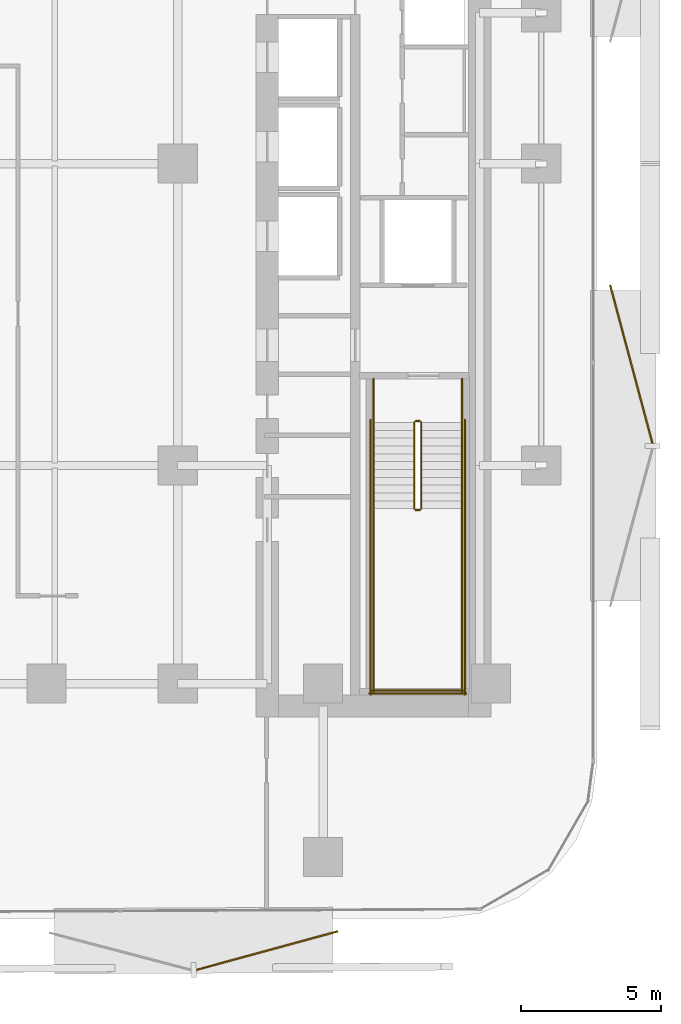
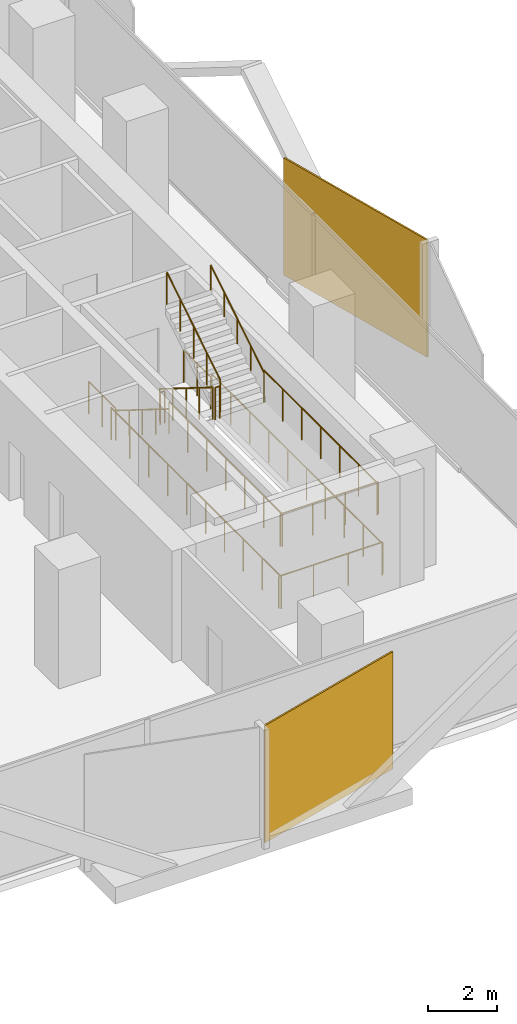
# One storey, part 13 of 15: 14 railings, 2 coverings.
"""IFC4 building model written with IfcOpenShell, lengths in metres."""

from ifc_helpers import new_model, si_unit, direction, frame, origin, origin_2d, place, context, subcontext, project, spatial, rectangle, circle, extrude, material, layer, layer_set, type_object, element, save


model = new_model("IFC4")

# Units and contexts
model_context = context("Model", 3, precision=1e-05, world=origin(), true_north=direction((0.0, 1.0)))
body_context = subcontext(model_context, "Body", "Model", "MODEL_VIEW")
ifc_project = project(units=[si_unit("LENGTHUNIT", "METRE"), si_unit("AREAUNIT", "SQUARE_METRE"), si_unit("VOLUMEUNIT", "CUBIC_METRE"), si_unit("PLANEANGLEUNIT", "RADIAN"), si_unit("MASSUNIT", "GRAM", prefix="KILO")], contexts=[model_context])

# Site, building, storey
site_placement = place(None, origin())
site = spatial("IfcSite", under=ifc_project, at=site_placement, CompositionType="ELEMENT")
building_placement = place(site_placement, origin())
building = spatial("IfcBuilding", under=site, at=building_placement, Name="Khairoan Windgate Tower", CompositionType="ELEMENT")
storey_placement = place(building_placement, frame((0.0, 0.0, 59.60009765625)))
storey = spatial("IfcBuildingStorey", under=building, at=storey_placement, Name="L14", CompositionType="ELEMENT", Elevation=59.60009765625)

# Coverings
ifc_material_1 = material(Name="Anodised Bronze Aluminium 6063-T6", Category="aluminium")
ifc_layer = layer(ifc_material_1, 0.054931640625, Name="Anodised Bronze Aluminium 6063-T6")
ifc_layer_set = layer_set([ifc_layer], Name="Anodised Bronze Aluminium 6063-T6")
covering_type = type_object("IfcCoveringType", Name="Perforated Bronze-Ceramic Folded Solar Screen Cladding BSC-1", PredefinedType="CLADDING", material=ifc_layer_set)
covering_1_placement = place(storey_placement, frame((12.39453125, -28.150390625, -0.10009765625), z_axis=(0.0, 0.0, 1.0), x_axis=(-0.964649468762, -0.263536339841, 0.0)))
element("IfcCovering", 1, at=covering_1_placement, inside=storey, type_object=covering_type, Name="L14 Folded Bronze Solar Screen Facet 65L", PredefinedType="CLADDING", context=body_context, shape_type="SweptSolid", body=[
    extrude(rectangle(XDim=5.25, YDim=0.054931640625, at=origin_2d()), origin(), (0.0, 0.0, 1.0), 4.139892578125),
])
covering_2_placement = place(storey_placement, frame((25.42236328125, -7.177734375, -0.10009765625), z_axis=(0.0, 0.0, 1.0), x_axis=(0.258819045103, -0.965925826289, 0.0)))
element("IfcCovering", 2, at=covering_2_placement, inside=storey, type_object=covering_type, Name="L14 Folded Bronze Solar Screen Facet 72L", PredefinedType="CLADDING", context=body_context, shape_type="SweptSolid", body=[
    extrude(rectangle(XDim=5.85498046875, YDim=0.054931640625, at=origin_2d()), origin(), (0.0, 0.0, 1.0), 4.139892578125),
])

# Railings
ifc_material_2 = material(Name="Anodised Bronze Aluminium 6063-T6", Category="aluminium")
railing_type_1 = type_object("IfcRailingType", Name="Stair Wall Handrail SHR-900", PredefinedType="HANDRAIL", material=ifc_material_2)
railing_1_placement = place(storey_placement, frame((16.199951171875, -9.260009765625, 0.1748046875)))
element("IfcRailing", 3, at=railing_1_placement, inside=storey, type_object=railing_type_1, Name="L14 ST1 stair handrail 1", PredefinedType="HANDRAIL", context=body_context, shape_type="SweptSolid", body=[
    extrude(circle(Radius=0.02392578125, at=origin_2d()), frame((0.0, 0.0, 0.8759765625), z_axis=(0.0, -0.847998304005, 0.529998940003), x_axis=(1.0, 0.0, 0.0)), (0.0, 0.0, 1.0), 3.632080078125),
    extrude(circle(Radius=0.02099609375, at=origin_2d()), origin(), (0.0, 0.0, 1.0), 0.851806640625),
    extrude(circle(Radius=0.02099609375, at=origin_2d()), frame((0.0, -0.77001953125, 0.481201171875)), (0.0, 0.0, 1.0), 0.851806640625),
    extrude(circle(Radius=0.02099609375, at=origin_2d()), frame((0.0, -1.5400390625, 0.96240234375)), (0.0, 0.0, 1.0), 0.851806640625),
    extrude(circle(Radius=0.02099609375, at=origin_2d()), frame((0.0, -2.31005859375, 1.44384765625)), (0.0, 0.0, 1.0), 0.851806640625),
    extrude(circle(Radius=0.02099609375, at=origin_2d()), frame((0.0, -3.080078125, 1.925048828125)), (0.0, 0.0, 1.0), 0.851806640625),
])
railing_2_placement = place(storey_placement, frame((19.3701171875, -12.340087890625, 2.27490234375)))
element("IfcRailing", 4, at=railing_2_placement, inside=storey, type_object=railing_type_1, Name="L14 ST1 stair handrail 2", PredefinedType="HANDRAIL", context=body_context, shape_type="SweptSolid", body=[
    extrude(circle(Radius=0.02392578125, at=origin_2d()), frame((0.0, 0.0, 0.8759765625), z_axis=(0.0, 0.847998304005, 0.529998940003), x_axis=(-1.0, 0.0, 0.0)), (0.0, 0.0, 1.0), 3.632080078125),
    extrude(circle(Radius=0.02099609375, at=origin_2d()), origin(), (0.0, 0.0, 1.0), 0.851806640625),
    extrude(circle(Radius=0.02099609375, at=origin_2d()), frame((0.0, 0.77001953125, 0.481201171875)), (0.0, 0.0, 1.0), 0.851806640625),
    extrude(circle(Radius=0.02099609375, at=origin_2d()), frame((0.0, 1.5400390625, 0.96240234375)), (0.0, 0.0, 1.0), 0.851806640625),
    extrude(circle(Radius=0.02099609375, at=origin_2d()), frame((0.0, 2.31005859375, 1.44384765625)), (0.0, 0.0, 1.0), 0.851806640625),
    extrude(circle(Radius=0.02099609375, at=origin_2d()), frame((0.0, 3.080078125, 1.925048828125)), (0.0, 0.0, 1.0), 0.851806640625),
])
ifc_material_3 = material(Name="Steel S355", Category="steel")
railing_type_2 = type_object("IfcRailingType", Name="Stairwell Safety Guardrail SGR-1150", PredefinedType="GUARDRAIL", material=ifc_material_3)
railing_3_placement = place(storey_placement, frame((17.659912109375, -9.260009765625, 0.1748046875)))
element("IfcRailing", 5, at=railing_3_placement, inside=storey, type_object=railing_type_2, Name="L14 ST1 stair guard 1", PredefinedType="GUARDRAIL", context=body_context, shape_type="SweptSolid", body=[
    extrude(circle(Radius=0.02392578125, at=origin_2d()), frame((0.0, 0.0, 1.1259765625), z_axis=(0.0, -0.847998304005, 0.529998940003), x_axis=(1.0, 0.0, 0.0)), (0.0, 0.0, 1.0), 3.632080078125),
    extrude(circle(Radius=0.02099609375, at=origin_2d()), origin(), (0.0, 0.0, 1.0), 1.101806640625),
    extrude(circle(Radius=0.02099609375, at=origin_2d()), frame((0.0, -0.77001953125, 0.481201171875)), (0.0, 0.0, 1.0), 1.101806640625),
    extrude(circle(Radius=0.02099609375, at=origin_2d()), frame((0.0, -1.5400390625, 0.96240234375)), (0.0, 0.0, 1.0), 1.101806640625),
    extrude(circle(Radius=0.02099609375, at=origin_2d()), frame((0.0, -2.31005859375, 1.44384765625)), (0.0, 0.0, 1.0), 1.101806640625),
    extrude(circle(Radius=0.02099609375, at=origin_2d()), frame((0.0, -3.080078125, 1.925048828125)), (0.0, 0.0, 1.0), 1.101806640625),
])
railing_4_placement = place(storey_placement, frame((17.7099609375, -12.389892578125, 2.099853515625)))
element("IfcRailing", 6, at=railing_4_placement, inside=storey, type_object=railing_type_2, Name="L14 ST1 stair guard 2", PredefinedType="GUARDRAIL", context=body_context, shape_type="SweptSolid", body=[
    extrude(circle(Radius=0.02392578125, at=origin_2d()), frame((0.0, 0.0, 1.1259765625), z_axis=(1.0, 0.0, 0.0), x_axis=(0.0, 1.0, 0.0)), (0.0, 0.0, 1.0), 0.150146484375),
    extrude(circle(Radius=0.02099609375, at=origin_2d()), origin(), (0.0, 0.0, 1.0), 1.101806640625),
    extrude(circle(Radius=0.02099609375, at=origin_2d()), frame((0.150146484375, 0.0, 0.0)), (0.0, 0.0, 1.0), 1.101806640625),
])
for number, where, name in (
    (7, (16.199951171875, -12.340087890625, 2.099853515625), "L14 ST1 stair guard 3"),
    (8, (19.3701171875, -12.340087890625, 2.099853515625), "L14 ST1 stair guard 4"),
):
    element("IfcRailing", number, at=place(storey_placement, frame(where)), inside=storey, type_object=railing_type_2, Name=name, PredefinedType="GUARDRAIL", context=body_context, shape_type="SweptSolid", body=[
        extrude(circle(Radius=0.02392578125, at=origin_2d()), frame((0.0, 0.0, 1.1259765625), z_axis=(0.0, -1.0, 0.0), x_axis=(1.0, 0.0, 0.0)), (0.0, 0.0, 1.0), 6.559814453125),
        extrude(circle(Radius=0.02099609375, at=origin_2d()), origin(), (0.0, 0.0, 1.0), 1.101806640625),
        extrude(circle(Radius=0.02099609375, at=origin_2d()), frame((0.0, -1.09326171875, 0.0)), (0.0, 0.0, 1.0), 1.101806640625),
        extrude(circle(Radius=0.02099609375, at=origin_2d()), frame((0.0, -2.1865234375, 0.0)), (0.0, 0.0, 1.0), 1.101806640625),
        extrude(circle(Radius=0.02099609375, at=origin_2d()), frame((0.0, -3.27978515625, 0.0)), (0.0, 0.0, 1.0), 1.101806640625),
        extrude(circle(Radius=0.02099609375, at=origin_2d()), frame((0.0, -4.373291015625, 0.0)), (0.0, 0.0, 1.0), 1.101806640625),
        extrude(circle(Radius=0.02099609375, at=origin_2d()), frame((0.0, -5.466552734375, 0.0)), (0.0, 0.0, 1.0), 1.101806640625),
        extrude(circle(Radius=0.02099609375, at=origin_2d()), frame((0.0, -6.559814453125, 0.0)), (0.0, 0.0, 1.0), 1.101806640625),
    ])
railing_5_placement = place(storey_placement, frame((16.14990234375, -18.85009765625, 2.099853515625)))
element("IfcRailing", 9, at=railing_5_placement, inside=storey, type_object=railing_type_2, Name="L14 ST1 stair guard 5", PredefinedType="GUARDRAIL", context=body_context, shape_type="SweptSolid", body=[
    extrude(circle(Radius=0.02392578125, at=origin_2d()), frame((0.0, 0.0, 1.1259765625), z_axis=(1.0, 0.0, 0.0), x_axis=(0.0, 1.0, 0.0)), (0.0, 0.0, 1.0), 3.27001953125),
    extrude(circle(Radius=0.02099609375, at=origin_2d()), origin(), (0.0, 0.0, 1.0), 1.101806640625),
    extrude(circle(Radius=0.02099609375, at=origin_2d()), frame((1.090087890625, 0.0, 0.0)), (0.0, 0.0, 1.0), 1.101806640625),
    extrude(circle(Radius=0.02099609375, at=origin_2d()), frame((2.179931640625, 0.0, 0.0)), (0.0, 0.0, 1.0), 1.101806640625),
    extrude(circle(Radius=0.02099609375, at=origin_2d()), frame((3.27001953125, 0.0, 0.0)), (0.0, 0.0, 1.0), 1.101806640625),
])
railing_6_placement = place(storey_placement, frame((17.909912109375, -12.340087890625, 2.27490234375)))
element("IfcRailing", 10, at=railing_6_placement, inside=storey, type_object=railing_type_2, Name="L14 ST1 stair guard 6", PredefinedType="GUARDRAIL", context=body_context, shape_type="SweptSolid", body=[
    extrude(circle(Radius=0.02392578125, at=origin_2d()), frame((0.0, 0.0, 1.1259765625), z_axis=(0.0, 0.847998304005, 0.529998940003), x_axis=(-1.0, 0.0, 0.0)), (0.0, 0.0, 1.0), 3.632080078125),
    extrude(circle(Radius=0.02099609375, at=origin_2d()), origin(), (0.0, 0.0, 1.0), 1.101806640625),
    extrude(circle(Radius=0.02099609375, at=origin_2d()), frame((0.0, 0.77001953125, 0.481201171875)), (0.0, 0.0, 1.0), 1.101806640625),
    extrude(circle(Radius=0.02099609375, at=origin_2d()), frame((0.0, 1.5400390625, 0.96240234375)), (0.0, 0.0, 1.0), 1.101806640625),
    extrude(circle(Radius=0.02099609375, at=origin_2d()), frame((0.0, 2.31005859375, 1.44384765625)), (0.0, 0.0, 1.0), 1.101806640625),
    extrude(circle(Radius=0.02099609375, at=origin_2d()), frame((0.0, 3.080078125, 1.925048828125)), (0.0, 0.0, 1.0), 1.101806640625),
])
railing_7_placement = place(storey_placement, frame((17.7099609375, -9.2099609375, 0.0)))
element("IfcRailing", 11, at=railing_7_placement, inside=storey, type_object=railing_type_2, Name="L14 ST1 stair guard 7", PredefinedType="GUARDRAIL", context=body_context, shape_type="SweptSolid", body=[
    extrude(circle(Radius=0.02392578125, at=origin_2d()), frame((0.0, 0.0, 1.1259765625), z_axis=(1.0, 0.0, 0.0), x_axis=(0.0, 1.0, 0.0)), (0.0, 0.0, 1.0), 0.150146484375),
    extrude(circle(Radius=0.02099609375, at=origin_2d()), origin(), (0.0, 0.0, 1.0), 1.101806640625),
    extrude(circle(Radius=0.02099609375, at=origin_2d()), frame((0.150146484375, 0.0, 0.0)), (0.0, 0.0, 1.0), 1.101806640625),
])
for number, where, name in (
    (12, (16.199951171875, -7.699951171875, 0.0), "L14 ST1 stair guard 8"),
    (13, (19.3701171875, -7.699951171875, 0.0), "L14 ST1 stair guard 9"),
):
    element("IfcRailing", number, at=place(storey_placement, frame(where)), inside=storey, type_object=railing_type_2, Name=name, PredefinedType="GUARDRAIL", context=body_context, shape_type="SweptSolid", body=[
        extrude(circle(Radius=0.02392578125, at=origin_2d()), frame((0.0, 0.0, 1.1259765625), z_axis=(0.0, -1.0, 0.0), x_axis=(1.0, 0.0, 0.0)), (0.0, 0.0, 1.0), 1.56005859375),
        extrude(circle(Radius=0.02099609375, at=origin_2d()), origin(), (0.0, 0.0, 1.0), 1.101806640625),
        extrude(circle(Radius=0.02099609375, at=origin_2d()), frame((0.0, -0.780029296875, 0.0)), (0.0, 0.0, 1.0), 1.101806640625),
        extrude(circle(Radius=0.02099609375, at=origin_2d()), frame((0.0, -1.56005859375, 0.0)), (0.0, 0.0, 1.0), 1.101806640625),
    ])
for number, where, name in (
    (14, (16.10009765625, -9.159912109375, 0.0), "L14 ST1 stair guard 10"),
    (15, (19.469970703125, -9.159912109375, 0.0), "L14 ST1 stair guard 11"),
):
    element("IfcRailing", number, at=place(storey_placement, frame(where)), inside=storey, type_object=railing_type_2, Name=name, PredefinedType="GUARDRAIL", context=body_context, shape_type="SweptSolid", body=[
        extrude(circle(Radius=0.02392578125, at=origin_2d()), frame((0.0, 0.0, 1.1259765625), z_axis=(0.0, -1.0, 0.0), x_axis=(1.0, 0.0, 0.0)), (0.0, 0.0, 1.0), 9.840087890625),
        extrude(circle(Radius=0.02099609375, at=origin_2d()), origin(), (0.0, 0.0, 1.0), 1.101806640625),
        extrude(circle(Radius=0.02099609375, at=origin_2d()), frame((0.0, -1.09326171875, 0.0)), (0.0, 0.0, 1.0), 1.101806640625),
        extrude(circle(Radius=0.02099609375, at=origin_2d()), frame((0.0, -2.186767578125, 0.0)), (0.0, 0.0, 1.0), 1.101806640625),
        extrude(circle(Radius=0.02099609375, at=origin_2d()), frame((0.0, -3.280029296875, 0.0)), (0.0, 0.0, 1.0), 1.101806640625),
        extrude(circle(Radius=0.02099609375, at=origin_2d()), frame((0.0, -4.373291015625, 0.0)), (0.0, 0.0, 1.0), 1.101806640625),
        extrude(circle(Radius=0.02099609375, at=origin_2d()), frame((0.0, -5.466796875, 0.0)), (0.0, 0.0, 1.0), 1.101806640625),
        extrude(circle(Radius=0.02099609375, at=origin_2d()), frame((0.0, -6.56005859375, 0.0)), (0.0, 0.0, 1.0), 1.101806640625),
        extrude(circle(Radius=0.02099609375, at=origin_2d()), frame((0.0, -7.6533203125, 0.0)), (0.0, 0.0, 1.0), 1.101806640625),
        extrude(circle(Radius=0.02099609375, at=origin_2d()), frame((0.0, -8.746826171875, 0.0)), (0.0, 0.0, 1.0), 1.101806640625),
        extrude(circle(Radius=0.02099609375, at=origin_2d()), frame((0.0, -9.840087890625, 0.0)), (0.0, 0.0, 1.0), 1.101806640625),
    ])
railing_8_placement = place(storey_placement, frame((16.050048828125, -18.949951171875, 0.0)))
element("IfcRailing", 16, at=railing_8_placement, inside=storey, type_object=railing_type_2, Name="L14 ST1 stair guard 12", PredefinedType="GUARDRAIL", context=body_context, shape_type="SweptSolid", body=[
    extrude(circle(Radius=0.02392578125, at=origin_2d()), frame((0.0, 0.0, 1.1259765625), z_axis=(1.0, 0.0, 0.0), x_axis=(0.0, 1.0, 0.0)), (0.0, 0.0, 1.0), 3.469970703125),
    extrude(circle(Radius=0.02099609375, at=origin_2d()), origin(), (0.0, 0.0, 1.0), 1.101806640625),
    extrude(circle(Radius=0.02099609375, at=origin_2d()), frame((1.15673828125, 0.0, 0.0)), (0.0, 0.0, 1.0), 1.101806640625),
    extrude(circle(Radius=0.02099609375, at=origin_2d()), frame((2.313232421875, 0.0, 0.0)), (0.0, 0.0, 1.0), 1.101806640625),
    extrude(circle(Radius=0.02099609375, at=origin_2d()), frame((3.469970703125, 0.0, 0.0)), (0.0, 0.0, 1.0), 1.101806640625),
])

save(model, "model.ifc")
